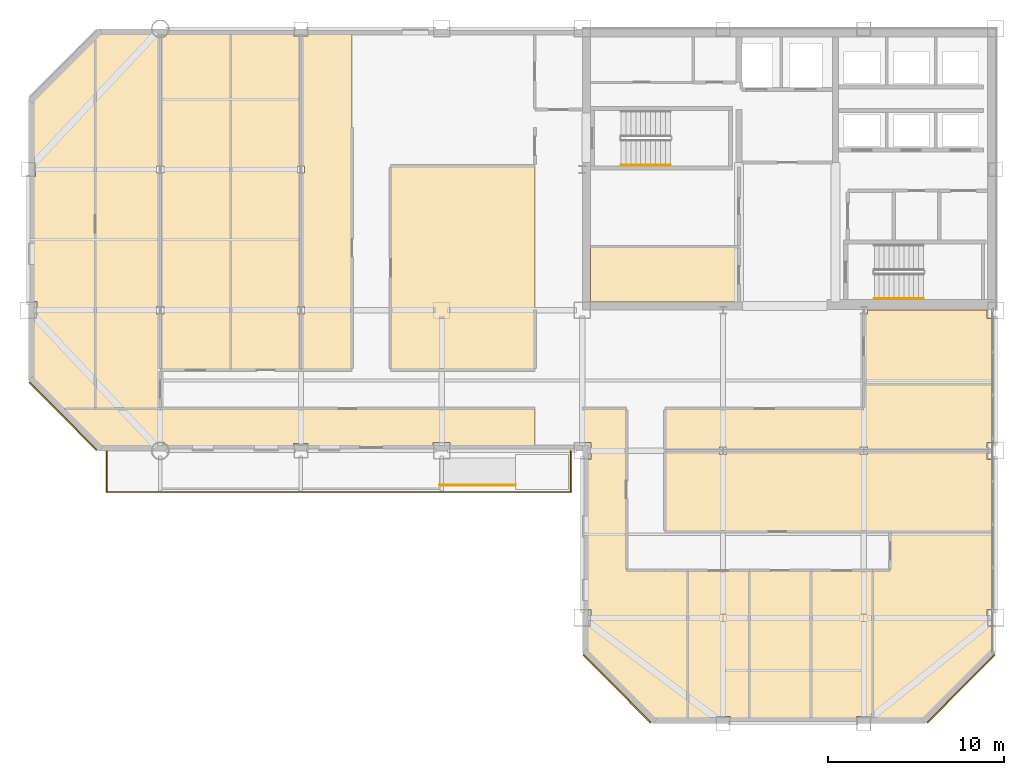
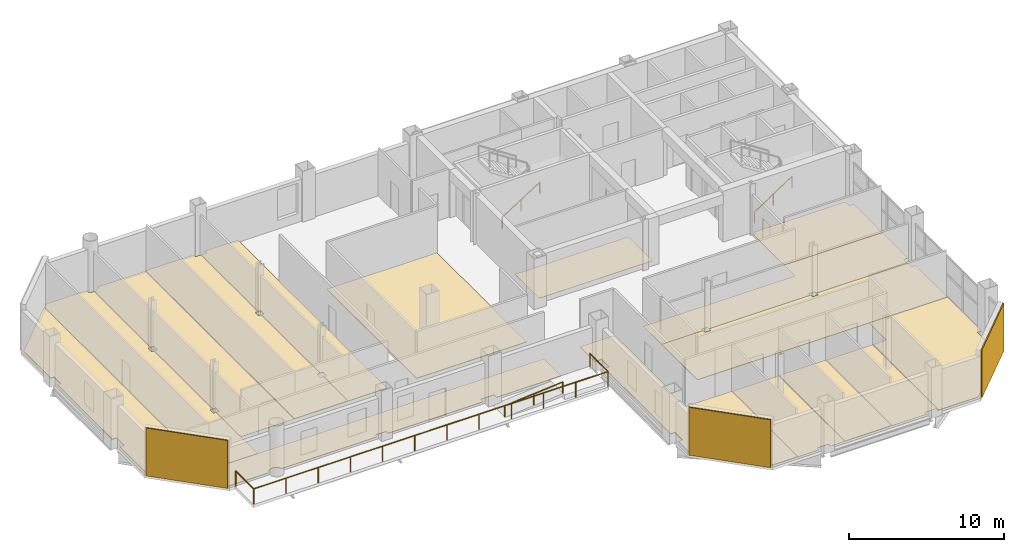
# One storey, part 11 of 14: 19 coverings, 4 railings.
"""IFC4 building model written with IfcOpenShell, lengths in metres."""

from ifc_helpers import new_model, si_unit, direction, frame, origin, origin_2d, place, context, subcontext, project, spatial, polyline, rectangle, circle, outline, extrude, material, layer, layer_set, type_object, element, save


model = new_model("IFC4")

# Units and contexts
model_context = context("Model", 3, precision=1e-05, world=origin(), true_north=direction((0.0, 1.0)))
body_context = subcontext(model_context, "Body", "Model", "MODEL_VIEW")
ifc_project = project(units=[si_unit("LENGTHUNIT", "METRE"), si_unit("AREAUNIT", "SQUARE_METRE"), si_unit("VOLUMEUNIT", "CUBIC_METRE"), si_unit("PLANEANGLEUNIT", "RADIAN"), si_unit("MASSUNIT", "GRAM", prefix="KILO")], contexts=[model_context])

# Site, building, storey
site_placement = place(None, origin())
site = spatial("IfcSite", under=ifc_project, at=site_placement, CompositionType="ELEMENT")
building_placement = place(site_placement, origin())
building = spatial("IfcBuilding", under=site, at=building_placement, Name="Qianrong Seaharbour Tower", CompositionType="ELEMENT")
storey_placement = place(building_placement, frame((0.0, 0.0, 209.800048828125)))
storey = spatial("IfcBuildingStorey", under=building, at=storey_placement, Name="L50", CompositionType="ELEMENT", Elevation=209.800048828125)

# Coverings
ifc_material_1 = material(Name="Unitised red brick cladding on Precast concrete C45/55", Category="masonry")
ifc_layer_1 = layer(ifc_material_1, 0.080078125)
ifc_layer_set_1 = layer_set([ifc_layer_1], Name="Unitised red brick cladding on Precast concrete C45/55")
covering_type_1 = type_object("IfcCoveringType", Name="COV-CLAD-RED-BRICK-80", PredefinedType="CLADDING", material=ifc_layer_set_1)
for number, where, z_axis, x_axis, name in (
    (1, (10.9716796875, 29.9716796875, 0.0), (0.0, 0.0, 1.0), (-0.707106781187, 0.707106781187, 0.0), "L50 Chamfer Corner Brick Cladding 02"),
    (2, (62.0283203125, 14.4716796875, 0.0), (0.0, 0.0, 1.0), (-0.707106781187, -0.707106781187, 0.0), "L50 Chamfer Corner Brick Cladding 07"),
    (3, (42.4716796875, 14.4716796875, 0.0), (0.0, 0.0, 1.0), (-0.707106781187, 0.707106781187, 0.0), "L50 Chamfer Corner Brick Cladding 09"),
):
    element("IfcCovering", number, at=place(storey_placement, frame(where, z_axis=z_axis, x_axis=x_axis)), inside=storey, type_object=covering_type_1, Name=name, PredefinedType="CLADDING", context=body_context, shape_type="SweptSolid", body=[
        extrude(rectangle(XDim=5.456787109375, YDim=0.080078125, at=origin_2d()), origin(), (0.0, 0.0, 1.0), 3.77490234375),
    ])
ifc_material_2 = material(Name="Acoustic modular carpet tile flooring")
ifc_layer_2 = layer(ifc_material_2, 0.02001953125)
ifc_layer_set_2 = layer_set([ifc_layer_2], Name="Acoustic modular carpet tile flooring")
covering_type_2 = type_object("IfcCoveringType", Name="COV-FLOOR-CARPET-20", PredefinedType="FLOORING", material=ifc_layer_set_2)
covering_1_placement = place(storey_placement, origin())
element("IfcCovering", 4, at=covering_1_placement, inside=storey, type_object=covering_type_2, Name="L50 Wellness Room Finish Flooring", PredefinedType="FLOORING", context=body_context, shape_type="SweptSolid", body=[
    extrude(outline(polyline([(49.39990234375, 39.60009765625), (49.39990234375, 36.4599609375), (40.985107421875, 36.4599609375), (40.985107421875, 36.485107421875), (40.9599609375, 36.485107421875), (40.9599609375, 39.60009765625), (49.39990234375, 39.60009765625)])), origin(), (0.0, 0.0, 1.0), 0.02001953125),
])
covering_2_placement = place(storey_placement, origin())
element("IfcCovering", 5, at=covering_2_placement, inside=storey, type_object=covering_type_2, Name="L50 Focus Room 2 Finish Flooring", PredefinedType="FLOORING", context=body_context, shape_type="SweptSolid", body=[
    extrude(outline(polyline([(12.800048828125, 51.566650390625), (13.068359375, 51.8349609375), (16.019775390625, 51.8349609375), (16.02880859375, 51.8046875), (16.075927734375, 51.716796875), (16.139404296875, 51.639404296875), (16.216796875, 51.575927734375), (16.3046875, 51.52880859375), (16.400390625, 51.499755859375), (16.5, 51.489990234375), (16.5, 44.2099609375), (16.2900390625, 44.2099609375), (16.2900390625, 43.7900390625), (16.5, 43.7900390625), (16.5, 36.2099609375), (16.2900390625, 36.2099609375), (16.2900390625, 35.7900390625), (16.5, 35.7900390625), (16.5, 30.39990234375), (12.800048828125, 30.39990234375), (12.800048828125, 51.566650390625)])), origin(), (0.0, 0.0, 1.0), 0.02001953125),
])
covering_3_placement = place(storey_placement, origin())
element("IfcCovering", 6, at=covering_3_placement, inside=storey, type_object=covering_type_2, Name="L50 Meeting Room 3 Finish Flooring", PredefinedType="FLOORING", context=body_context, shape_type="SweptSolid", body=[
    extrude(outline(polyline([(20.5, 51.8349609375), (20.5, 32.60009765625), (16.5, 32.60009765625), (16.5, 35.7900390625), (16.7099609375, 35.7900390625), (16.7099609375, 36.2099609375), (16.5, 36.2099609375), (16.5, 43.7900390625), (16.7099609375, 43.7900390625), (16.7099609375, 44.2099609375), (16.5, 44.2099609375), (16.5, 51.489990234375), (16.599609375, 51.499755859375), (16.6953125, 51.52880859375), (16.783203125, 51.575927734375), (16.860595703125, 51.639404296875), (16.924072265625, 51.716796875), (16.97119140625, 51.8046875), (16.980224609375, 51.8349609375), (20.5, 51.8349609375)])), origin(), (0.0, 0.0, 1.0), 0.02001953125),
])
covering_4_placement = place(storey_placement, origin())
element("IfcCovering", 7, at=covering_4_placement, inside=storey, type_object=covering_type_2, Name="L50 Boardroom 2 Finish Flooring", PredefinedType="FLOORING", context=body_context, shape_type="SweptSolid", body=[
    extrude(outline(polyline([(56.5, 30.39990234375), (56.5, 31.800048828125), (63.8349609375, 31.800048828125), (63.8349609375, 28.485107421875), (63.514892578125, 28.485107421875), (63.514892578125, 28.0), (56.7099609375, 28.0), (56.7099609375, 28.2099609375), (56.2900390625, 28.2099609375), (56.2900390625, 28.0), (48.7099609375, 28.0), (48.7099609375, 28.2099609375), (48.2900390625, 28.2099609375), (48.2900390625, 28.0), (45.199951171875, 28.0), (45.199951171875, 30.39990234375), (56.5, 30.39990234375)])), origin(), (0.0, 0.0, 1.0), 0.02001953125),
])
covering_5_placement = place(storey_placement, origin())
element("IfcCovering", 8, at=covering_5_placement, inside=storey, type_object=covering_type_2, Name="L50 Focus Room 3 Finish Flooring", PredefinedType="FLOORING", context=body_context, shape_type="SweptSolid", body=[
    extrude(outline(polyline([(63.8349609375, 31.800048828125), (56.5, 31.800048828125), (56.5, 35.7900390625), (56.7099609375, 35.7900390625), (56.7099609375, 36.0), (63.514892578125, 36.0), (63.514892578125, 35.514892578125), (63.8349609375, 35.514892578125), (63.8349609375, 31.800048828125)])), origin(), (0.0, 0.0, 1.0), 0.02001953125),
])
covering_6_placement = place(storey_placement, origin())
element("IfcCovering", 9, at=covering_6_placement, inside=storey, type_object=covering_type_2, Name="L50 Meeting Room 2 Finish Flooring", PredefinedType="FLOORING", context=body_context, shape_type="SweptSolid", body=[
    extrude(outline(polyline([(48.909912109375, 12.6650390625), (48.909912109375, 12.909912109375), (48.090087890625, 12.909912109375), (48.090087890625, 12.6650390625), (46.5, 12.6650390625), (46.5, 21.199951171875), (50.0, 21.199951171875), (50.0, 12.6650390625), (48.909912109375, 12.6650390625)])), origin(), (0.0, 0.0, 1.0), 0.02001953125),
])
covering_7_placement = place(storey_placement, origin())
element("IfcCovering", 10, at=covering_7_placement, inside=storey, type_object=covering_type_2, Name="L50 Meeting Room 4 Finish Flooring", PredefinedType="FLOORING", context=body_context, shape_type="SweptSolid", body=[
    extrude(outline(polyline([(56.909912109375, 12.6650390625), (56.909912109375, 12.909912109375), (56.090087890625, 12.909912109375), (56.090087890625, 12.6650390625), (53.5, 12.6650390625), (53.5, 21.199951171875), (57.0, 21.199951171875), (57.0, 12.6650390625), (56.909912109375, 12.6650390625)])), origin(), (0.0, 0.0, 1.0), 0.02001953125),
])
ifc_material_3 = material(Name="Calcium-sulphate raised access floor tile")
ifc_layer_3 = layer(ifc_material_3, 0.044921875)
ifc_layer_set_3 = layer_set([ifc_layer_3], Name="Calcium-sulphate raised access floor tile")
covering_type_3 = type_object("IfcCoveringType", Name="COV-FLOOR-RAISED-45", PredefinedType="FLOORING", material=ifc_layer_set_3)
covering_8_placement = place(storey_placement, origin())
element("IfcCovering", 11, at=covering_8_placement, inside=storey, type_object=covering_type_3, Name="L50 Open-Plan Office Finish Flooring", PredefinedType="FLOORING", context=body_context, shape_type="SweptSolid", body=[
    extrude(outline(polyline([(29.60009765625, 44.199951171875), (37.800048828125, 44.199951171875), (37.800048828125, 32.60009765625), (29.60009765625, 32.60009765625), (29.60009765625, 44.199951171875)])), origin(), (0.0, 0.0, 1.0), 0.044921875),
])
covering_9_placement = place(storey_placement, origin())
element("IfcCovering", 12, at=covering_9_placement, inside=storey, type_object=covering_type_3, Name="L50 Executive Office 1 Finish Flooring", PredefinedType="FLOORING", context=body_context, shape_type="SweptSolid", body=[
    extrude(outline(polyline([(9.1650390625, 32.068359375), (9.1650390625, 35.514892578125), (9.485107421875, 35.514892578125), (9.485107421875, 36.485107421875), (9.1650390625, 36.485107421875), (9.1650390625, 43.590087890625), (9.409912109375, 43.590087890625), (9.409912109375, 44.409912109375), (9.1650390625, 44.409912109375), (9.1650390625, 47.931640625), (12.800048828125, 51.566650390625), (12.800048828125, 30.39990234375), (10.833251953125, 30.39990234375), (9.1650390625, 32.068359375)])), origin(), (0.0, 0.0, 1.0), 0.044921875),
])
covering_10_placement = place(storey_placement, origin())
element("IfcCovering", 13, at=covering_10_placement, inside=storey, type_object=covering_type_3, Name="L50 Executive Office 4 Finish Flooring", PredefinedType="FLOORING", context=body_context, shape_type="SweptSolid", body=[
    extrude(outline(polyline([(24.090087890625, 51.8349609375), (24.090087890625, 51.590087890625), (24.5, 51.590087890625), (24.5, 44.2099609375), (24.2900390625, 44.2099609375), (24.2900390625, 43.7900390625), (24.5, 43.7900390625), (24.5, 36.2099609375), (24.2900390625, 36.2099609375), (24.2900390625, 35.7900390625), (24.5, 35.7900390625), (24.5, 32.60009765625), (20.5, 32.60009765625), (20.5, 51.8349609375), (24.090087890625, 51.8349609375)])), origin(), (0.0, 0.0, 1.0), 0.044921875),
])
covering_11_placement = place(storey_placement, origin())
element("IfcCovering", 14, at=covering_11_placement, inside=storey, type_object=covering_type_3, Name="L50 Executive Office 5 Finish Flooring", PredefinedType="FLOORING", context=body_context, shape_type="SweptSolid", body=[
    extrude(outline(polyline([(27.39990234375, 51.8349609375), (27.39990234375, 32.60009765625), (24.5, 32.60009765625), (24.5, 35.7900390625), (24.7099609375, 35.7900390625), (24.7099609375, 36.2099609375), (24.5, 36.2099609375), (24.5, 43.7900390625), (24.7099609375, 43.7900390625), (24.7099609375, 44.2099609375), (24.5, 44.2099609375), (24.5, 51.590087890625), (24.909912109375, 51.590087890625), (24.909912109375, 51.8349609375), (27.39990234375, 51.8349609375)])), origin(), (0.0, 0.0, 1.0), 0.044921875),
])
covering_12_placement = place(storey_placement, origin())
element("IfcCovering", 15, at=covering_12_placement, inside=storey, type_object=covering_type_3, Name="L50 Executive Office 1 Finish Flooring", PredefinedType="FLOORING", context=body_context, shape_type="SweptSolid", body=[
    extrude(outline(polyline([(48.2900390625, 28.0), (48.2900390625, 27.7900390625), (48.7099609375, 27.7900390625), (48.7099609375, 28.0), (56.2900390625, 28.0), (56.2900390625, 27.7900390625), (56.7099609375, 27.7900390625), (56.7099609375, 28.0), (63.514892578125, 28.0), (63.514892578125, 27.514892578125), (63.8349609375, 27.514892578125), (63.8349609375, 23.39990234375), (45.199951171875, 23.39990234375), (45.199951171875, 28.0), (48.2900390625, 28.0)])), origin(), (0.0, 0.0, 1.0), 0.044921875),
])
covering_13_placement = place(storey_placement, origin())
element("IfcCovering", 16, at=covering_13_placement, inside=storey, type_object=covering_type_3, Name="L50 Executive Office 1 Finish Flooring", PredefinedType="FLOORING", context=body_context, shape_type="SweptSolid", body=[
    extrude(outline(polyline([(32.985107421875, 28.1650390625), (32.985107421875, 28.485107421875), (32.014892578125, 28.485107421875), (32.014892578125, 28.1650390625), (24.909912109375, 28.1650390625), (24.909912109375, 28.409912109375), (24.090087890625, 28.409912109375), (24.090087890625, 28.1650390625), (16.980224609375, 28.1650390625), (16.97119140625, 28.1953125), (16.924072265625, 28.283203125), (16.860595703125, 28.360595703125), (16.783203125, 28.424072265625), (16.6953125, 28.47119140625), (16.599609375, 28.500244140625), (16.5, 28.510009765625), (16.400390625, 28.500244140625), (16.3046875, 28.47119140625), (16.216796875, 28.424072265625), (16.139404296875, 28.360595703125), (16.075927734375, 28.283203125), (16.02880859375, 28.1953125), (16.019775390625, 28.1650390625), (13.068359375, 28.1650390625), (10.833251953125, 30.39990234375), (37.800048828125, 30.39990234375), (37.800048828125, 28.1650390625), (32.985107421875, 28.1650390625)])), origin(), (0.0, 0.0, 1.0), 0.044921875),
])
covering_14_placement = place(storey_placement, origin())
element("IfcCovering", 17, at=covering_14_placement, inside=storey, type_object=covering_type_3, Name="L50 Executive Office 1 Finish Flooring", PredefinedType="FLOORING", context=body_context, shape_type="SweptSolid", body=[
    extrude(outline(polyline([(43.0, 21.199951171875), (46.5, 21.199951171875), (46.5, 12.6650390625), (44.568359375, 12.6650390625), (40.6650390625, 16.568359375), (40.6650390625, 18.014892578125), (40.985107421875, 18.014892578125), (40.985107421875, 18.985107421875), (40.6650390625, 18.985107421875), (40.6650390625, 27.514892578125), (40.985107421875, 27.514892578125), (40.985107421875, 28.485107421875), (40.5, 28.485107421875), (40.5, 30.39990234375), (43.0, 30.39990234375), (43.0, 21.199951171875)])), origin(), (0.0, 0.0, 1.0), 0.044921875),
])
covering_15_placement = place(storey_placement, origin())
element("IfcCovering", 18, at=covering_15_placement, inside=storey, type_object=covering_type_3, Name="L50 Executive Office 3 Finish Flooring", PredefinedType="FLOORING", context=body_context, shape_type="SweptSolid", body=[
    extrude(outline(polyline([(50.0, 12.6650390625), (50.0, 21.199951171875), (53.5, 21.199951171875), (53.5, 12.6650390625), (50.0, 12.6650390625)])), origin(), (0.0, 0.0, 1.0), 0.044921875),
])
covering_16_placement = place(storey_placement, origin())
element("IfcCovering", 19, at=covering_16_placement, inside=storey, type_object=covering_type_3, Name="L50 Executive Office 5 Finish Flooring", PredefinedType="FLOORING", context=body_context, shape_type="SweptSolid", body=[
    extrude(outline(polyline([(59.931640625, 12.6650390625), (57.0, 12.6650390625), (57.0, 21.199951171875), (58.0, 21.199951171875), (58.0, 23.39990234375), (63.8349609375, 23.39990234375), (63.8349609375, 18.985107421875), (63.514892578125, 18.985107421875), (63.514892578125, 18.014892578125), (63.8349609375, 18.014892578125), (63.8349609375, 16.568359375), (59.931640625, 12.6650390625)])), origin(), (0.0, 0.0, 1.0), 0.044921875),
])

# Railings
ifc_material_4 = material(Name="Stainless steel SUS316L tubular handrail", Category="steel")
railing_type_1 = type_object("IfcRailingType", Name="RAIL-RAMP-HANDRAIL-900", PredefinedType="HANDRAIL", material=ifc_material_4)
railing_1_placement = place(storey_placement, frame((32.3798828125, 26.050048828125, 0.0)))
element("IfcRailing", 20, at=railing_1_placement, inside=storey, type_object=railing_type_1, Name="L50 Harbourfront Ribbon Ramp Handrail", PredefinedType="HANDRAIL", context=body_context, shape_type="SweptSolid", body=[
    extrude(circle(Radius=0.02392578125, at=origin_2d()), frame((0.0, 0.0, 0.8759765625), z_axis=(0.996548476515, 0.0, 0.083012854161), x_axis=(0.0, 1.0, 0.0)), (0.0, 0.0, 1.0), 4.3349609375),
    extrude(circle(Radius=0.02099609375, at=origin_2d()), origin(), (0.0, 0.0, 1.0), 0.851806640625),
    extrude(circle(Radius=0.02099609375, at=origin_2d()), frame((2.16015625, 0.0, 0.179931640625)), (0.0, 0.0, 1.0), 0.851806640625),
    extrude(circle(Radius=0.02099609375, at=origin_2d()), frame((4.320068359375, 0.0, 0.35986328125)), (0.0, 0.0, 1.0), 0.851806640625),
])
ifc_material_5 = material(Name="Stainless steel SUS316L continuous handrail", Category="steel")
railing_type_2 = type_object("IfcRailingType", Name="RAIL-STAIR-HANDRAIL-900", PredefinedType="HANDRAIL", material=ifc_material_5)
railing_2_placement = place(storey_placement, frame((42.699951171875, 44.25, 0.181884765625)))
element("IfcRailing", 21, at=railing_2_placement, inside=storey, type_object=railing_type_2, Name="L50 ST-1 stair handrail 1", PredefinedType="HANDRAIL", context=body_context, shape_type="SweptSolid", body=[
    extrude(circle(Radius=0.02392578125, at=origin_2d()), frame((0.0, 0.0, 0.8759765625), z_axis=(0.838705829183, 0.0, 0.544584733623), x_axis=(0.0, 1.0, 0.0)), (0.0, 0.0, 1.0), 3.338623046875),
    extrude(circle(Radius=0.02099609375, at=origin_2d()), origin(), (0.0, 0.0, 1.0), 0.851806640625),
    extrude(circle(Radius=0.02099609375, at=origin_2d()), frame((1.39990234375, 0.0, 0.9091796875)), (0.0, 0.0, 1.0), 0.851806640625),
    extrude(circle(Radius=0.02099609375, at=origin_2d()), frame((2.800048828125, 0.0, 1.818115234375)), (0.0, 0.0, 1.0), 0.851806640625),
])
railing_3_placement = place(storey_placement, frame((57.10009765625, 36.64990234375, 0.181884765625)))
element("IfcRailing", 22, at=railing_3_placement, inside=storey, type_object=railing_type_2, Name="L50 ST-2 stair handrail 1", PredefinedType="HANDRAIL", context=body_context, shape_type="SweptSolid", body=[
    extrude(circle(Radius=0.02392578125, at=origin_2d()), frame((0.0, 0.0, 0.8759765625), z_axis=(0.83868413941, 0.0, 0.544618136222), x_axis=(0.0, 1.0, 0.0)), (0.0, 0.0, 1.0), 3.33837890625),
    extrude(circle(Radius=0.02099609375, at=origin_2d()), origin(), (0.0, 0.0, 1.0), 0.851806640625),
    extrude(circle(Radius=0.02099609375, at=origin_2d()), frame((1.39990234375, 0.0, 0.9091796875)), (0.0, 0.0, 1.0), 0.851806640625),
    extrude(circle(Radius=0.02099609375, at=origin_2d()), frame((2.7998046875, 0.0, 1.818115234375)), (0.0, 0.0, 1.0), 0.851806640625),
])
ifc_material_6 = material(Name="Stainless steel SUS316L and laminated safety glass balustrade", Category="steel")
railing_type_3 = type_object("IfcRailingType", Name="RAIL-TERRACE-GUARD-1220", PredefinedType="GUARDRAIL", material=ifc_material_6)
railing_4_placement = place(storey_placement, frame((13.4599609375, 27.97998046875, 0.0)))
element("IfcRailing", 23, at=railing_4_placement, inside=storey, type_object=railing_type_3, Name="L50 Harbourfront Ribbon Gallery Guardrail", PredefinedType="GUARDRAIL", context=body_context, shape_type="SweptSolid", body=[
    extrude(circle(Radius=0.02392578125, at=origin_2d()), frame((0.0, 0.0, 1.19580078125), z_axis=(0.0, -1.0, 0.0), x_axis=(1.0, 0.0, 0.0)), (0.0, 0.0, 1.0), 2.320068359375),
    extrude(circle(Radius=0.02392578125, at=origin_2d()), frame((0.0, -2.320068359375, 1.19580078125), z_axis=(1.0, 0.0, 0.0), x_axis=(0.0, 1.0, 0.0)), (0.0, 0.0, 1.0), 26.380126953125),
    extrude(circle(Radius=0.02392578125, at=origin_2d()), frame((26.380126953125, -2.320068359375, 1.19580078125), z_axis=(0.0, 1.0, 0.0), x_axis=(-1.0, 0.0, 0.0)), (0.0, 0.0, 1.0), 2.320068359375),
    extrude(circle(Radius=0.02099609375, at=origin_2d()), origin(), (0.0, 0.0, 1.0), 1.171875),
    extrude(circle(Radius=0.02099609375, at=origin_2d()), frame((0.0, -2.320068359375, 0.0)), (0.0, 0.0, 1.0), 1.171875),
    extrude(circle(Radius=0.02099609375, at=origin_2d()), frame((2.398193359375, -2.320068359375, 0.0)), (0.0, 0.0, 1.0), 1.171875),
    extrude(circle(Radius=0.02099609375, at=origin_2d()), frame((4.79638671875, -2.320068359375, 0.0)), (0.0, 0.0, 1.0), 1.171875),
    extrude(circle(Radius=0.02099609375, at=origin_2d()), frame((7.194580078125, -2.320068359375, 0.0)), (0.0, 0.0, 1.0), 1.171875),
    extrude(circle(Radius=0.02099609375, at=origin_2d()), frame((9.5927734375, -2.320068359375, 0.0)), (0.0, 0.0, 1.0), 1.171875),
    extrude(circle(Radius=0.02099609375, at=origin_2d()), frame((11.990966796875, -2.320068359375, 0.0)), (0.0, 0.0, 1.0), 1.171875),
    extrude(circle(Radius=0.02099609375, at=origin_2d()), frame((14.38916015625, -2.320068359375, 0.0)), (0.0, 0.0, 1.0), 1.171875),
    extrude(circle(Radius=0.02099609375, at=origin_2d()), frame((16.787353515625, -2.320068359375, 0.0)), (0.0, 0.0, 1.0), 1.171875),
    extrude(circle(Radius=0.02099609375, at=origin_2d()), frame((19.185546875, -2.320068359375, 0.0)), (0.0, 0.0, 1.0), 1.171875),
    extrude(circle(Radius=0.02099609375, at=origin_2d()), frame((21.583740234375, -2.320068359375, 0.0)), (0.0, 0.0, 1.0), 1.171875),
    extrude(circle(Radius=0.02099609375, at=origin_2d()), frame((23.98193359375, -2.320068359375, 0.0)), (0.0, 0.0, 1.0), 1.171875),
    extrude(circle(Radius=0.02099609375, at=origin_2d()), frame((26.380126953125, -2.320068359375, 0.0)), (0.0, 0.0, 1.0), 1.171875),
    extrude(circle(Radius=0.02099609375, at=origin_2d()), frame((26.380126953125, 0.0, 0.0)), (0.0, 0.0, 1.0), 1.171875),
])

save(model, "model.ifc")
